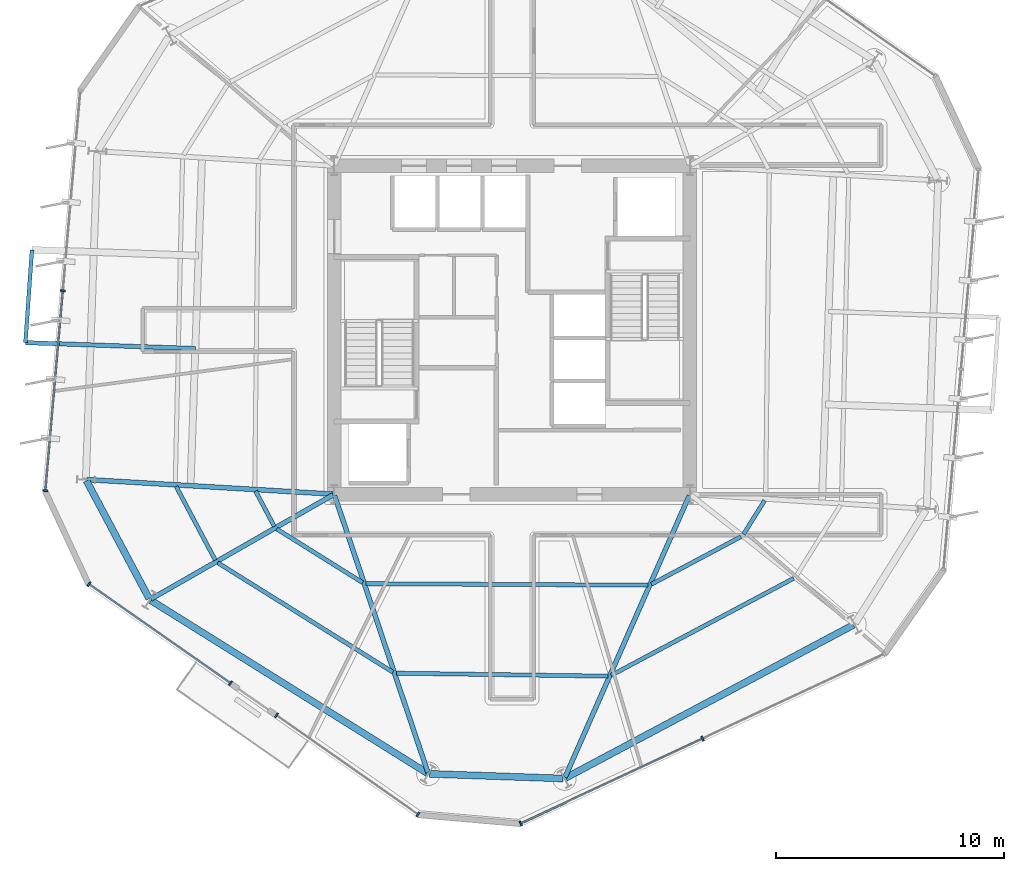
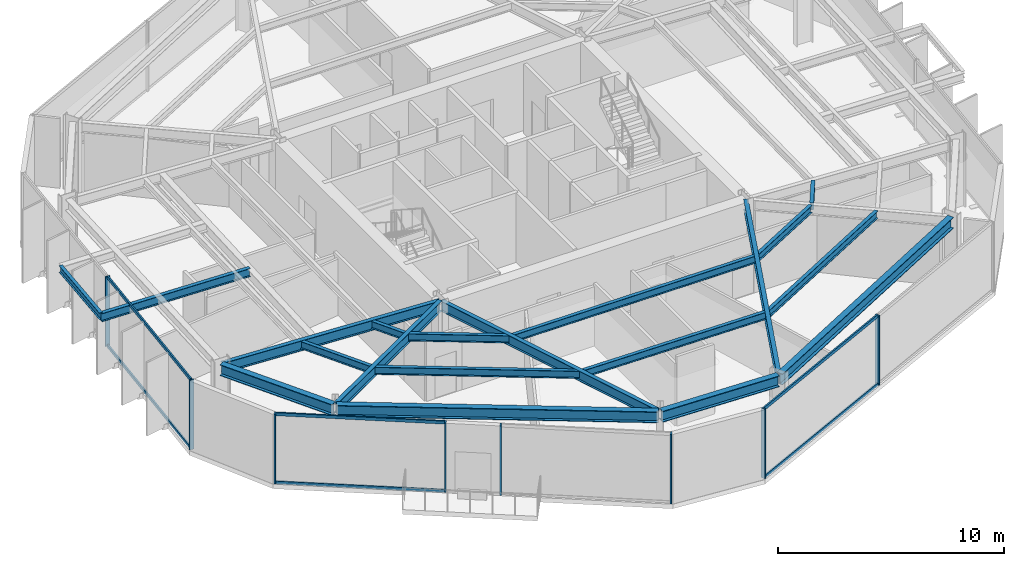
# One storey, part 2 of 12: 19 beams, 14 members, 4 elements without a shape of their own.
"""IFC4 building model written with IfcOpenShell, lengths in metres."""

from ifc_helpers import new_model, si_unit, direction, frame, origin, origin_2d, place, context, subcontext, project, spatial, rectangle, i_section, extrude, material, layer, layer_set, material_profile, profile_set, type_object, element, aggregate, save


model = new_model("IFC4")

# Units and contexts
model_context = context("Model", 3, precision=1e-05, world=origin(), true_north=direction((0.0, 1.0)))
body_context = subcontext(model_context, "Body", "Model", "MODEL_VIEW")
ifc_project = project(units=[si_unit("LENGTHUNIT", "METRE"), si_unit("AREAUNIT", "SQUARE_METRE"), si_unit("VOLUMEUNIT", "CUBIC_METRE"), si_unit("PLANEANGLEUNIT", "RADIAN"), si_unit("MASSUNIT", "GRAM", prefix="KILO")], contexts=[model_context])

# Site, building, storey
site_placement = place(None, origin())
site = spatial("IfcSite", under=ifc_project, at=site_placement, CompositionType="ELEMENT")
building_placement = place(site_placement, origin())
building = spatial("IfcBuilding", under=site, at=building_placement, Name="Kranzbogen Civic Tower", CompositionType="ELEMENT")
storey_placement = place(building_placement, frame((0.0, 0.0, 122.39990234375)))
storey = spatial("IfcBuildingStorey", under=building, at=storey_placement, Name="L29", CompositionType="ELEMENT", Elevation=122.39990234375)

# Beam
ifc_material_1 = material(Name="Steel S355", Category="steel")
ifc_material_profile_1 = material_profile(ifc_material_1, i_section(OverallWidth=0.18994140625, OverallDepth=0.449951171875, WebThickness=0.009521484375, FlangeThickness=0.0146484375, at=origin_2d()), Name="IPE 450")
ifc_profile_set_1 = profile_set([ifc_material_profile_1], Name="Steel S355")
beam_type_1 = type_object("IfcBeamType", Name="Braced Terrace Edge Beam IPE 450", PredefinedType="BEAM", material=ifc_profile_set_1)
beam_1_placement = place(storey_placement, frame((11.112060546875, 24.18701171875, 3.525146484375), z_axis=(-0.999391878954, 0.034869360211, 0.0), x_axis=(-0.034869360211, -0.999391878954, 0.0)))
element("IfcBeam", 1, at=beam_1_placement, inside=storey, type_object=beam_type_1, Name="L30 back-spanned terrace beam L30-TB1-2", PredefinedType="BEAM", context=body_context, shape_type="SweptSolid", body=[
    extrude(i_section(OverallWidth=0.18994140625, OverallDepth=0.449951171875, WebThickness=0.009521484375, FlangeThickness=0.0146484375, at=origin_2d()), origin(), (0.0, 0.0, 1.0), 7.456787109375),
])

# Curtain wall, members
ifc_material_2 = material(Name="Pale Anodised Aluminium", Category="aluminium")
ifc_layer = layer(ifc_material_2, 0.219970703125, Name="Pale Anodised Aluminium")
ifc_layer_set = layer_set([ifc_layer], Name="Pale Anodised Aluminium")
curtain_wall_type = type_object("IfcCurtainWallType", Name="Zone 2 Stick Curtain Wall System CW-03", PredefinedType="USERDEFINED", material=ifc_layer_set)
curtain_wall_1_placement = place(storey_placement, origin())
curtain_wall_1 = element("IfcCurtainWall", 2, at=curtain_wall_1_placement, inside=storey, type_object=curtain_wall_type, Name="L29 curtain wall CW-L29-F3", ObjectType="STICK CURTAIN WALL", PredefinedType="USERDEFINED")
ifc_material_profile_2 = material_profile(ifc_material_2, rectangle(XDim=0.074951171875, YDim=0.219970703125, at=origin_2d()), Name="ALU-M 75x220")
ifc_profile_set_2 = profile_set([ifc_material_profile_2], Name="Pale Anodised Aluminium")
member_type_1 = type_object("IfcMemberType", Name="Curtain Wall Mullion ALU-M 75x220", PredefinedType="MULLION", material=ifc_profile_set_2)
member_1_placement = place(storey_placement, frame((5.302978515625, 26.723388671875, 0.0), z_axis=(0.0, 0.0, 1.0), x_axis=(-0.087162035526, -0.996194147525, 0.0)))
member_1 = element("IfcMember", 3, at=member_1_placement, type_object=member_type_1, Name="CW-03 mullion 2", PredefinedType="MULLION", context=body_context, shape_type="SweptSolid", body=[
    extrude(rectangle(XDim=0.074951171875, YDim=0.219970703125, at=origin_2d()), origin(), (0.0, 0.0, 1.0), 3.760009765625),
])
member_2_placement = place(storey_placement, frame((4.53564453125, 17.952880859375, 0.0), z_axis=(0.0, 0.0, 1.0), x_axis=(-0.087162035526, -0.996194147525, 0.0)))
member_2 = element("IfcMember", 4, at=member_2_placement, type_object=member_type_1, Name="CW-03 mullion 3", PredefinedType="MULLION", context=body_context, shape_type="SweptSolid", body=[
    extrude(rectangle(XDim=0.074951171875, YDim=0.219970703125, at=origin_2d()), origin(), (0.0, 0.0, 1.0), 3.760009765625),
])

curtain_wall_2_placement = place(storey_placement, origin())
curtain_wall_2 = element("IfcCurtainWall", 5, at=curtain_wall_2_placement, inside=storey, type_object=curtain_wall_type, Name="L29 curtain wall CW-L29-F4-S1", ObjectType="STICK CURTAIN WALL", PredefinedType="USERDEFINED")
member_3_placement = place(storey_placement, frame((6.447509765625, 13.853759765625, 0.0), z_axis=(0.0, 0.0, 1.0), x_axis=(0.819114974608, -0.573629373701, 0.0)))
member_3 = element("IfcMember", 6, at=member_3_placement, type_object=member_type_1, Name="CW-03 mullion 1", PredefinedType="MULLION", context=body_context, shape_type="SweptSolid", body=[
    extrude(rectangle(XDim=0.074951171875, YDim=0.219970703125, at=origin_2d()), origin(), (0.0, 0.0, 1.0), 3.760009765625),
])
member_4_placement = place(storey_placement, frame((12.6513671875, 9.50927734375, 0.0), z_axis=(0.0, 0.0, 1.0), x_axis=(0.819114974608, -0.573629373701, 0.0)))
member_4 = element("IfcMember", 7, at=member_4_placement, type_object=member_type_1, Name="CW-03 mullion 2", PredefinedType="MULLION", context=body_context, shape_type="SweptSolid", body=[
    extrude(rectangle(XDim=0.074951171875, YDim=0.219970703125, at=origin_2d()), origin(), (0.0, 0.0, 1.0), 3.760009765625),
])

curtain_wall_3_placement = place(storey_placement, origin())
curtain_wall_3 = element("IfcCurtainWall", 8, at=curtain_wall_3_placement, inside=storey, type_object=curtain_wall_type, Name="L29 curtain wall CW-L29-F4-S2", ObjectType="STICK CURTAIN WALL", PredefinedType="USERDEFINED")
member_5_placement = place(storey_placement, frame((14.66650390625, 8.098876953125, 0.0), z_axis=(0.0, 0.0, 1.0), x_axis=(0.819096531052, -0.573655709305, 0.0)))
member_5 = element("IfcMember", 9, at=member_5_placement, type_object=member_type_1, Name="CW-03 mullion 1", PredefinedType="MULLION", context=body_context, shape_type="SweptSolid", body=[
    extrude(rectangle(XDim=0.074951171875, YDim=0.219970703125, at=origin_2d()), origin(), (0.0, 0.0, 1.0), 3.760009765625),
])
member_6_placement = place(storey_placement, frame((20.871337890625, 3.753173828125, 0.0), z_axis=(0.0, 0.0, 1.0), x_axis=(0.819096531052, -0.573655709305, 0.0)))
member_6 = element("IfcMember", 10, at=member_6_placement, type_object=member_type_1, Name="CW-03 mullion 2", PredefinedType="MULLION", context=body_context, shape_type="SweptSolid", body=[
    extrude(rectangle(XDim=0.074951171875, YDim=0.219970703125, at=origin_2d()), origin(), (0.0, 0.0, 1.0), 3.760009765625),
])
aggregate(curtain_wall_3, [member_5, member_6])

curtain_wall_4_placement = place(storey_placement, origin())
curtain_wall_4 = element("IfcCurtainWall", 11, at=curtain_wall_4_placement, inside=storey, type_object=curtain_wall_type, Name="L29 curtain wall CW-L29-F5", ObjectType="STICK CURTAIN WALL", PredefinedType="USERDEFINED")
member_7_placement = place(storey_placement, frame((25.377197265625, 3.359619140625, 0.0), z_axis=(0.0, 0.0, 1.0), x_axis=(0.906297342068, 0.422640660325, 0.0)))
member_7 = element("IfcMember", 12, at=member_7_placement, type_object=member_type_1, Name="CW-03 mullion 1", PredefinedType="MULLION", context=body_context, shape_type="SweptSolid", body=[
    extrude(rectangle(XDim=0.074951171875, YDim=0.219970703125, at=origin_2d()), origin(), (0.0, 0.0, 1.0), 3.760009765625),
])
member_8_placement = place(storey_placement, frame((33.35595703125, 7.08056640625, 0.0), z_axis=(0.0, 0.0, 1.0), x_axis=(0.906297342068, 0.422640660325, 0.0)))
member_8 = element("IfcMember", 13, at=member_8_placement, type_object=member_type_1, Name="CW-03 mullion 2", PredefinedType="MULLION", context=body_context, shape_type="SweptSolid", body=[
    extrude(rectangle(XDim=0.074951171875, YDim=0.219970703125, at=origin_2d()), origin(), (0.0, 0.0, 1.0), 3.760009765625),
])

# Member
ifc_material_profile_3 = material_profile(ifc_material_2, rectangle(XDim=0.074951171875, YDim=0.1650390625, at=origin_2d()), Name="ALU-T 75x165")
ifc_profile_set_3 = profile_set([ifc_material_profile_3], Name="Pale Anodised Aluminium")
member_type_2 = type_object("IfcMemberType", Name="Curtain Wall Transom ALU-T 75x165", PredefinedType="USERDEFINED", material=ifc_profile_set_3)
member_9_placement = place(storey_placement, frame((5.30029296875, 26.693603515625, 0.030029296875), z_axis=(-0.087139242092, -0.996196141574, 0.0), x_axis=(0.996196141574, -0.087139242092, 0.0)))
member_9 = element("IfcMember", 14, at=member_9_placement, type_object=member_type_2, Name="CW-03 transom 2.1", ObjectType="TRANSOM", PredefinedType="USERDEFINED", context=body_context, shape_type="SweptSolid", body=[
    extrude(rectangle(XDim=0.074951171875, YDim=0.1650390625, at=origin_2d()), origin(), (0.0, 0.0, 1.0), 8.744140625),
])

member_10_placement = place(storey_placement, frame((5.30029296875, 26.693603515625, 3.72998046875), z_axis=(-0.087139242092, -0.996196141574, 0.0), x_axis=(0.996196141574, -0.087139242092, 0.0)))
member_10 = element("IfcMember", 15, at=member_10_placement, type_object=member_type_2, Name="CW-03 transom 2.2", ObjectType="TRANSOM", PredefinedType="USERDEFINED", context=body_context, shape_type="SweptSolid", body=[
    extrude(rectangle(XDim=0.074951171875, YDim=0.1650390625, at=origin_2d()), origin(), (0.0, 0.0, 1.0), 8.744140625),
])

aggregate(curtain_wall_1, [member_1, member_2, member_9, member_10])

member_11_placement = place(storey_placement, frame((6.47216796875, 13.836669921875, 0.030029296875), z_axis=(0.819109786379, -0.57363678217, 0.0), x_axis=(0.57363678217, 0.819109786379, 0.0)))
member_11 = element("IfcMember", 16, at=member_11_placement, type_object=member_type_2, Name="CW-03 transom 1.1", ObjectType="TRANSOM", PredefinedType="USERDEFINED", context=body_context, shape_type="SweptSolid", body=[
    extrude(rectangle(XDim=0.074951171875, YDim=0.1650390625, at=origin_2d()), origin(), (0.0, 0.0, 1.0), 7.513916015625),
])

member_12_placement = place(storey_placement, frame((6.47216796875, 13.836669921875, 3.72998046875), z_axis=(0.819109786379, -0.57363678217, 0.0), x_axis=(0.57363678217, 0.819109786379, 0.0)))
member_12 = element("IfcMember", 17, at=member_12_placement, type_object=member_type_2, Name="CW-03 transom 1.2", ObjectType="TRANSOM", PredefinedType="USERDEFINED", context=body_context, shape_type="SweptSolid", body=[
    extrude(rectangle(XDim=0.074951171875, YDim=0.1650390625, at=origin_2d()), origin(), (0.0, 0.0, 1.0), 7.513916015625),
])

aggregate(curtain_wall_2, [member_3, member_4, member_11, member_12])

member_13_placement = place(storey_placement, frame((25.404296875, 3.372314453125, 0.030029296875), z_axis=(0.906295811831, 0.422643941702, 0.0), x_axis=(-0.422643941702, 0.906295811831, 0.0)))
member_13 = element("IfcMember", 18, at=member_13_placement, type_object=member_type_2, Name="CW-03 transom 1.1", ObjectType="TRANSOM", PredefinedType="USERDEFINED", context=body_context, shape_type="SweptSolid", body=[
    extrude(rectangle(XDim=0.074951171875, YDim=0.1650390625, at=origin_2d()), origin(), (0.0, 0.0, 1.0), 8.743896484375),
])

member_14_placement = place(storey_placement, frame((25.404296875, 3.372314453125, 3.72998046875), z_axis=(0.906295811831, 0.422643941702, 0.0), x_axis=(-0.422643941702, 0.906295811831, 0.0)))
member_14 = element("IfcMember", 19, at=member_14_placement, type_object=member_type_2, Name="CW-03 transom 1.2", ObjectType="TRANSOM", PredefinedType="USERDEFINED", context=body_context, shape_type="SweptSolid", body=[
    extrude(rectangle(XDim=0.074951171875, YDim=0.1650390625, at=origin_2d()), origin(), (0.0, 0.0, 1.0), 8.743896484375),
])

aggregate(curtain_wall_4, [member_7, member_8, member_13, member_14])

# Beams
ifc_material_profile_4 = material_profile(ifc_material_1, i_section(OverallWidth=0.300048828125, OverallDepth=0.60009765625, WebThickness=0.015380859375, FlangeThickness=0.030029296875, at=origin_2d()), Name="HEB 600")
ifc_profile_set_4 = profile_set([ifc_material_profile_4], Name="Steel S355")
beam_type_2 = type_object("IfcBeamType", Name="Perimeter Tube Spandrel Beam HEB 600", PredefinedType="SPANDREL", material=ifc_profile_set_4)
beam_2_placement = place(storey_placement, frame((6.337890625, 18.39111328125, 3.460205078125), z_axis=(0.469565926668, -0.882897412224, 0.0), x_axis=(0.882897412224, 0.469565926668, 0.0)))
element("IfcBeam", 20, at=beam_2_placement, inside=storey, type_object=beam_type_2, Name="L29 perimeter spandrel beam 01", PredefinedType="SPANDREL", context=body_context, shape_type="SweptSolid", body=[
    extrude(i_section(OverallWidth=0.300048828125, OverallDepth=0.60009765625, WebThickness=0.015380859375, FlangeThickness=0.030029296875, at=origin_2d()), origin(), (0.0, 0.0, 1.0), 5.852294921875),
])
beam_3_placement = place(storey_placement, frame((9.1650390625, 13.138916015625, 3.460205078125), z_axis=(0.848051101349, -0.52991445489, 0.0), x_axis=(0.52991445489, 0.848051101349, 0.0)))
element("IfcBeam", 21, at=beam_3_placement, inside=storey, type_object=beam_type_2, Name="L29 perimeter spandrel beam 02", PredefinedType="SPANDREL", context=body_context, shape_type="SweptSolid", body=[
    extrude(i_section(OverallWidth=0.300048828125, OverallDepth=0.60009765625, WebThickness=0.015380859375, FlangeThickness=0.030029296875, at=origin_2d()), origin(), (0.0, 0.0, 1.0), 14.286865234375),
])
beam_4_placement = place(storey_placement, frame((21.39208984375, 5.533935546875, 3.460205078125), z_axis=(0.999393148233, -0.03483296234, 0.0), x_axis=(0.03483296234, 0.999393148233, 0.0)))
element("IfcBeam", 22, at=beam_4_placement, inside=storey, type_object=beam_type_2, Name="L29 perimeter spandrel beam 03", PredefinedType="SPANDREL", context=body_context, shape_type="SweptSolid", body=[
    extrude(i_section(OverallWidth=0.300048828125, OverallDepth=0.60009765625, WebThickness=0.015380859375, FlangeThickness=0.030029296875, at=origin_2d()), origin(), (0.0, 0.0, 1.0), 5.8525390625),
])
beam_5_placement = place(storey_placement, frame((27.35400390625, 5.35595703125, 3.460205078125), z_axis=(0.882948194046, 0.469470432116, 0.0), x_axis=(-0.469470432116, 0.882948194046, 0.0)))
element("IfcBeam", 23, at=beam_5_placement, inside=storey, type_object=beam_type_2, Name="L29 perimeter spandrel beam 04", PredefinedType="SPANDREL", context=body_context, shape_type="SweptSolid", body=[
    extrude(i_section(OverallWidth=0.300048828125, OverallDepth=0.60009765625, WebThickness=0.015380859375, FlangeThickness=0.030029296875, at=origin_2d()), origin(), (0.0, 0.0, 1.0), 14.28857421875),
])
ifc_material_profile_5 = material_profile(ifc_material_1, i_section(OverallWidth=0.2099609375, OverallDepth=0.550048828125, WebThickness=0.010986328125, FlangeThickness=0.01708984375, at=origin_2d()), Name="IPE 550")
ifc_profile_set_5 = profile_set([ifc_material_profile_5], Name="Steel S355")
beam_type_3 = type_object("IfcBeamType", Name="Radial Tower Floor Girder IPE 550", PredefinedType="BEAM", material=ifc_profile_set_5)
beam_6_placement = place(storey_placement, frame((6.3701171875, 18.43994140625, 3.485107421875), z_axis=(0.998260925387, -0.058950189528, 0.0), x_axis=(0.058950189528, 0.998260925387, 0.0)))
element("IfcBeam", 24, at=beam_6_placement, inside=storey, type_object=beam_type_3, Name="L29 radial floor girder 01", PredefinedType="BEAM", context=body_context, shape_type="SweptSolid", body=[
    extrude(i_section(OverallWidth=0.2099609375, OverallDepth=0.550048828125, WebThickness=0.010986328125, FlangeThickness=0.01708984375, at=origin_2d()), origin(), (0.0, 0.0, 1.0), 10.78857421875),
])
beam_7_placement = place(storey_placement, frame((9.166015625, 13.200927734375, 3.485107421875), z_axis=(0.867868812182, 0.496793442833, 0.0), x_axis=(-0.496793442833, 0.867868812182, 0.0)))
element("IfcBeam", 25, at=beam_7_placement, inside=storey, type_object=beam_type_3, Name="L29 radial floor girder 02", PredefinedType="BEAM", context=body_context, shape_type="SweptSolid", body=[
    extrude(i_section(OverallWidth=0.2099609375, OverallDepth=0.550048828125, WebThickness=0.010986328125, FlangeThickness=0.01708984375, at=origin_2d()), origin(), (0.0, 0.0, 1.0), 9.197265625),
])
beam_8_placement = place(storey_placement, frame((21.31298828125, 5.593017578125, 3.485107421875), z_axis=(-0.319316617377, 0.947648087566, 0.0), x_axis=(-0.947648087566, -0.319316617377, 0.0)))
element("IfcBeam", 26, at=beam_8_placement, inside=storey, type_object=beam_type_3, Name="L29 radial floor girder 03", PredefinedType="BEAM", context=body_context, shape_type="SweptSolid", body=[
    extrude(i_section(OverallWidth=0.2099609375, OverallDepth=0.550048828125, WebThickness=0.010986328125, FlangeThickness=0.01708984375, at=origin_2d()), origin(), (0.0, 0.0, 1.0), 12.821044921875),
])
beam_9_placement = place(storey_placement, frame((27.324951171875, 5.383056640625, 3.485107421875), z_axis=(0.403459127705, 0.914997667905, 0.0), x_axis=(-0.914997667905, 0.403459127705, 0.0)))
element("IfcBeam", 27, at=beam_9_placement, inside=storey, type_object=beam_type_3, Name="L29 radial floor girder 04", PredefinedType="BEAM", context=body_context, shape_type="SweptSolid", body=[
    extrude(i_section(OverallWidth=0.2099609375, OverallDepth=0.550048828125, WebThickness=0.010986328125, FlangeThickness=0.01708984375, at=origin_2d()), origin(), (0.0, 0.0, 1.0), 13.510498046875),
])
ifc_material_profile_6 = material_profile(ifc_material_1, i_section(OverallWidth=0.169921875, OverallDepth=0.360107421875, WebThickness=0.008056640625, FlangeThickness=0.0126953125, at=origin_2d()), Name="IPE 360")
ifc_profile_set_6 = profile_set([ifc_material_profile_6], Name="Steel S355")
beam_type_4 = type_object("IfcBeamType", Name="Secondary Composite Floor Joist IPE 360", PredefinedType="JOIST", material=ifc_profile_set_6)
beam_10_placement = place(storey_placement, frame((3.945068359375, 28.51708984375, 3.570068359375), z_axis=(-0.069890459894, -0.997554671993, 0.0), x_axis=(0.997554671993, -0.069890459894, 0.0)))
element("IfcBeam", 28, at=beam_10_placement, inside=storey, type_object=beam_type_4, Name="L30 terrace outer edge trimmer L30-TB1", PredefinedType="JOIST", context=body_context, shape_type="SweptSolid", body=[
    extrude(i_section(OverallWidth=0.169921875, OverallDepth=0.360107421875, WebThickness=0.008056640625, FlangeThickness=0.0126953125, at=origin_2d()), origin(), (0.0, 0.0, 1.0), 4.080078125),
])
ifc_material_profile_7 = material_profile(ifc_material_1, i_section(OverallWidth=0.179931640625, OverallDepth=0.39990234375, WebThickness=0.008544921875, FlangeThickness=0.013427734375, at=origin_2d()), Name="IPE 400")
ifc_profile_set_7 = profile_set([ifc_material_profile_7], Name="Steel S355")
beam_type_5 = type_object("IfcBeamType", Name="Secondary Composite Floor Joist IPE 400", PredefinedType="JOIST", material=ifc_profile_set_7)
beam_11_placement = place(storey_placement, frame((10.26806640625, 18.14208984375, 3.56005859375), z_axis=(0.469338791783, -0.88301817565, 0.0), x_axis=(0.88301817565, 0.469338791783, 0.0)))
element("IfcBeam", 29, at=beam_11_placement, inside=storey, type_object=beam_type_5, Name="L29 secondary floor joist 1.01", PredefinedType="JOIST", context=body_context, shape_type="SweptSolid", body=[
    extrude(i_section(OverallWidth=0.179931640625, OverallDepth=0.39990234375, WebThickness=0.008544921875, FlangeThickness=0.013427734375, at=origin_2d()), origin(), (0.0, 0.0, 1.0), 3.66259765625),
])
beam_12_placement = place(storey_placement, frame((13.7529296875, 17.93505859375, 3.56005859375), z_axis=(0.46943723363, -0.882965845139, 0.0), x_axis=(0.882965845139, 0.46943723363, 0.0)))
element("IfcBeam", 30, at=beam_12_placement, inside=storey, type_object=beam_type_5, Name="L29 secondary floor joist 2.01", PredefinedType="JOIST", context=body_context, shape_type="SweptSolid", body=[
    extrude(i_section(OverallWidth=0.179931640625, OverallDepth=0.39990234375, WebThickness=0.008544921875, FlangeThickness=0.013427734375, at=origin_2d()), origin(), (0.0, 0.0, 1.0), 1.7509765625),
])
beam_13_placement = place(storey_placement, frame((12.093017578125, 14.794921875, 3.56005859375), z_axis=(0.848025549308, -0.529955345026, 0.0), x_axis=(0.529955345026, 0.848025549308, 0.0)))
element("IfcBeam", 31, at=beam_13_placement, inside=storey, type_object=beam_type_5, Name="L29 secondary floor joist 1.02", PredefinedType="JOIST", context=body_context, shape_type="SweptSolid", body=[
    extrude(i_section(OverallWidth=0.179931640625, OverallDepth=0.39990234375, WebThickness=0.008544921875, FlangeThickness=0.013427734375, at=origin_2d()), origin(), (0.0, 0.0, 1.0), 9.06103515625),
])
beam_14_placement = place(storey_placement, frame((14.679931640625, 16.27587890625, 3.56005859375), z_axis=(0.848093834398, -0.529846060716, 0.0), x_axis=(0.529846060716, 0.848093834398, 0.0)))
element("IfcBeam", 32, at=beam_14_placement, inside=storey, type_object=beam_type_5, Name="L29 secondary floor joist 2.02", PredefinedType="JOIST", context=body_context, shape_type="SweptSolid", body=[
    extrude(i_section(OverallWidth=0.179931640625, OverallDepth=0.39990234375, WebThickness=0.008544921875, FlangeThickness=0.013427734375, at=origin_2d()), origin(), (0.0, 0.0, 1.0), 4.4501953125),
])
beam_15_placement = place(storey_placement, frame((19.924072265625, 9.949951171875, 3.56005859375), z_axis=(0.999900525148, -0.014104602386, 0.0), x_axis=(0.014104602386, 0.999900525148, 0.0)))
element("IfcBeam", 33, at=beam_15_placement, inside=storey, type_object=beam_type_5, Name="L29 secondary floor joist 1.03", PredefinedType="JOIST", context=body_context, shape_type="SweptSolid", body=[
    extrude(i_section(OverallWidth=0.179931640625, OverallDepth=0.39990234375, WebThickness=0.008544921875, FlangeThickness=0.013427734375, at=origin_2d()), origin(), (0.0, 0.0, 1.0), 9.27783203125),
])
beam_16_placement = place(storey_placement, frame((18.60205078125, 13.875, 3.56005859375), z_axis=(0.999985774147, -0.005333995002, 0.0), x_axis=(0.005333995002, 0.999985774147, 0.0)))
element("IfcBeam", 34, at=beam_16_placement, inside=storey, type_object=beam_type_5, Name="L29 secondary floor joist 2.03", PredefinedType="JOIST", context=body_context, shape_type="SweptSolid", body=[
    extrude(i_section(OverallWidth=0.179931640625, OverallDepth=0.39990234375, WebThickness=0.008544921875, FlangeThickness=0.013427734375, at=origin_2d()), origin(), (0.0, 0.0, 1.0), 12.358154296875),
])
beam_17_placement = place(storey_placement, frame((29.35107421875, 9.85498046875, 3.56005859375), z_axis=(0.882960787661, 0.469446746131, 0.0), x_axis=(-0.469446746131, 0.882960787661, 0.0)))
element("IfcBeam", 35, at=beam_17_placement, inside=storey, type_object=beam_type_5, Name="L29 secondary floor joist 1.04", PredefinedType="JOIST", context=body_context, shape_type="SweptSolid", body=[
    extrude(i_section(OverallWidth=0.179931640625, OverallDepth=0.39990234375, WebThickness=0.008544921875, FlangeThickness=0.013427734375, at=origin_2d()), origin(), (0.0, 0.0, 1.0), 9.0615234375),
])
beam_18_placement = place(storey_placement, frame((31.111083984375, 13.846923828125, 3.56005859375), z_axis=(0.882991399158, 0.469389165844, 0.0), x_axis=(-0.469389165844, 0.882991399158, 0.0)))
element("IfcBeam", 36, at=beam_18_placement, inside=storey, type_object=beam_type_5, Name="L29 secondary floor joist 2.04", PredefinedType="JOIST", context=body_context, shape_type="SweptSolid", body=[
    extrude(i_section(OverallWidth=0.179931640625, OverallDepth=0.39990234375, WebThickness=0.008544921875, FlangeThickness=0.013427734375, at=origin_2d()), origin(), (0.0, 0.0, 1.0), 4.45068359375),
])
beam_19_placement = place(storey_placement, frame((35.154052734375, 16.041015625, 3.56005859375), z_axis=(0.529572623603, 0.84826460278, 0.0), x_axis=(-0.84826460278, 0.529572623603, 0.0)))
element("IfcBeam", 37, at=beam_19_placement, inside=storey, type_object=beam_type_5, Name="L29 secondary floor joist 2.05", PredefinedType="JOIST", context=body_context, shape_type="SweptSolid", body=[
    extrude(i_section(OverallWidth=0.179931640625, OverallDepth=0.39990234375, WebThickness=0.008544921875, FlangeThickness=0.013427734375, at=origin_2d()), origin(), (0.0, 0.0, 1.0), 1.75048828125),
])

save(model, "model.ifc")
